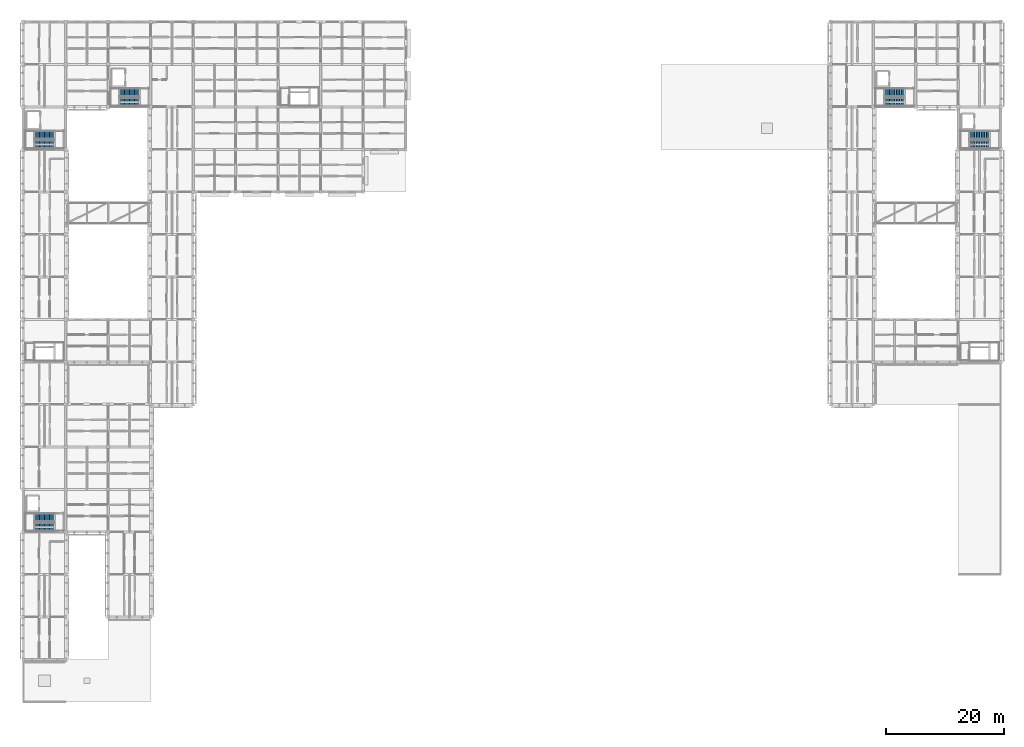
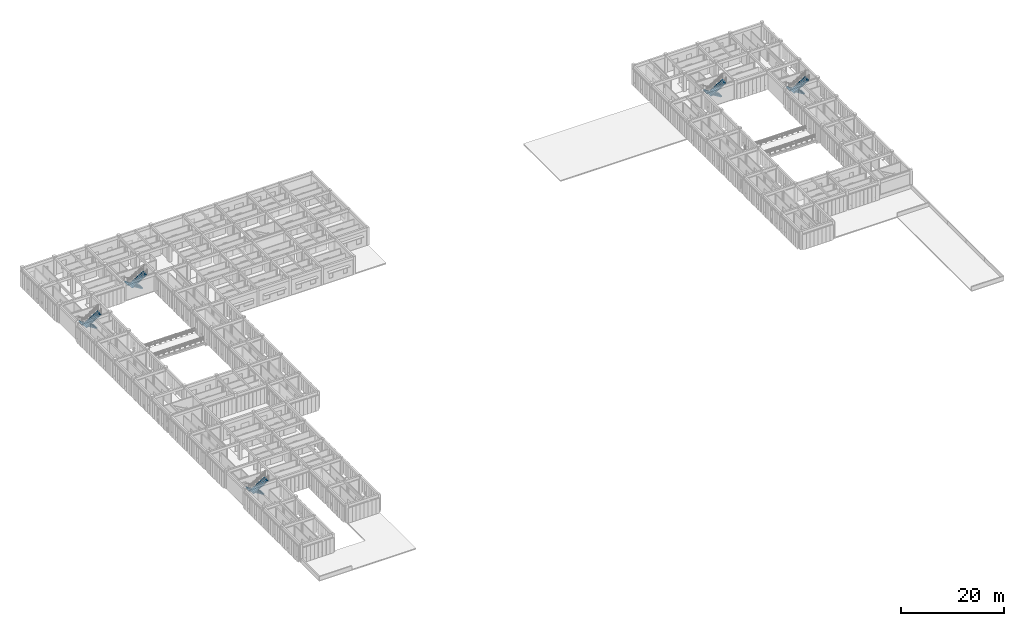
# One storey, part 82 of 91: 10 stair flights, 5 elements without a shape of their own.
"""IFC4 building model written with IfcOpenShell, lengths in metres."""

import ifcopenshell
import ifcopenshell.guid

model = None  # the IFC model being written
_history = None  # IfcOwnerHistory: only IFC2X3 demands one
_inside = {}  # id of a spatial element -> (the spatial element, [elements in it])
_under = {}  # id of a project, library or spatial element -> (it, [spatial elements below it])
_declared = {}  # id of a project -> (the project, [libraries it declares])
_typed = {}  # id of a type object -> (the type object, [elements of that type])
_made_of = {}  # id of a material, layer set ... -> (it, [elements and type objects made of it])


def new_model(schema):
    """Start an empty IFC model of exactly this schema.

    Asked for "IFC4X3", IfcOpenShell would pick the latest addendum, in which some entities
    have other attributes; the version numbers below select the first issue.
    IFC2X3 requires an IfcOwnerHistory on every rooted entity: one is made here for all.
    """
    global model, _history
    if schema == "IFC4X3":
        model = ifcopenshell.file(schema_version=(4, 3, 0, 0))
    else:
        model = ifcopenshell.file(schema=schema)
    _inside.clear()
    _under.clear()
    _declared.clear()
    _typed.clear()
    _made_of.clear()
    _history = None
    if model.schema == "IFC2X3":
        org = make("IfcOrganization", Name="unknown")
        user = make(
            "IfcPersonAndOrganization",
            ThePerson=make("IfcPerson", FamilyName="unknown"),
            TheOrganization=org,
        )
        app = make(
            "IfcApplication",
            ApplicationDeveloper=org,
            Version="unknown",
            ApplicationFullName="unknown",
            ApplicationIdentifier="unknown",
        )
        _history = make(
            "IfcOwnerHistory",
            OwningUser=user,
            OwningApplication=app,
            ChangeAction="ADDED",
            CreationDate=0,
        )
    return model


def make(cls, **values):
    """One entity of the class cls with the attributes given. An attribute that is None is left unset."""
    return model.create_entity(
        cls, **{name: value for name, value in values.items() if value is not None}
    )


def rooted(cls, **values):
    """An entity with a GlobalId (a new one), such as an element, a storey or a relation."""
    return make(cls, GlobalId=ifcopenshell.guid.new(), OwnerHistory=_history, **values)


def si_unit(unit_type, name, prefix=None):
    """IfcSIUnit, for example si_unit("LENGTHUNIT", "METRE", prefix="MILLI")."""
    return make("IfcSIUnit", UnitType=unit_type, Prefix=prefix, Name=name)


def assignment(units):
    """IfcUnitAssignment: the units of a project."""
    return None if units is None else make("IfcUnitAssignment", Units=units)


def point(xyz):
    """IfcCartesianPoint."""
    return None if xyz is None else make("IfcCartesianPoint", Coordinates=xyz)


def direction(xyz):
    """IfcDirection."""
    return None if xyz is None else make("IfcDirection", DirectionRatios=xyz)


def frame(location, z_axis=None, x_axis=None):
    """IfcAxis2Placement3D, a coordinate frame: its origin and axes. An axis left out is left unset."""
    return make(
        "IfcAxis2Placement3D",
        Location=point(location),
        Axis=direction(z_axis),
        RefDirection=direction(x_axis),
    )


def origin():
    """The frame at (0, 0, 0) with its axes left unset."""
    return frame((0.0, 0.0, 0.0))


def place(relative_to, where):
    """IfcLocalPlacement: puts the frame where relative to a parent placement (None: the world)."""
    return make(
        "IfcLocalPlacement", PlacementRelTo=relative_to, RelativePlacement=where
    )


def context(
    kind, dimensions, precision=None, world=None, true_north=None, identifier=None
):
    """IfcGeometricRepresentationContext, for example the 3D "Model" context."""
    return make(
        "IfcGeometricRepresentationContext",
        ContextIdentifier=identifier,
        ContextType=kind,
        CoordinateSpaceDimension=dimensions,
        Precision=precision,
        WorldCoordinateSystem=world,
        TrueNorth=true_north,
    )


def subcontext(parent, identifier, kind, view, scale=None):
    """IfcGeometricRepresentationSubContext, for example "Body" below "Model"."""
    return make(
        "IfcGeometricRepresentationSubContext",
        ContextIdentifier=identifier,
        ContextType=kind,
        ParentContext=parent,
        TargetScale=scale,
        TargetView=view,
    )


def project(units=None, contexts=None):
    """IfcProject with its units and contexts."""
    return rooted(
        "IfcProject",
        Name="project",
        RepresentationContexts=contexts,
        UnitsInContext=assignment(units),
    )


def spatial(cls, under=None, at=None, **own):
    """A site, building, storey or space (cls), placed at a placement, below another one or the project."""
    s = rooted(cls, ObjectPlacement=at, **own)
    if under is not None:
        _under.setdefault(under.id(), (under, []))[1].append(s)
    return s


def polyline(points):
    """IfcPolyline through the points."""
    return make("IfcPolyline", Points=[point(p) for p in points])


def outline(outer, holes=None, kind="AREA"):
    """IfcArbitraryClosedProfileDef: a profile drawn as a closed curve; with holes, ...WithVoids."""
    if holes is None:
        return make("IfcArbitraryClosedProfileDef", ProfileType=kind, OuterCurve=outer)
    return make(
        "IfcArbitraryProfileDefWithVoids",
        ProfileType=kind,
        OuterCurve=outer,
        InnerCurves=holes,
    )


def extrude(swept, where, along, depth):
    """IfcExtrudedAreaSolid: the profile swept, set in the frame where, extruded along a direction by depth."""
    return make(
        "IfcExtrudedAreaSolid",
        SweptArea=swept,
        Position=where,
        ExtrudedDirection=direction(along),
        Depth=depth,
    )


def shape(context_of_items, identifier, shape_type, items):
    """IfcShapeRepresentation: the items that make up one representation, for example the "Body"."""
    return make(
        "IfcShapeRepresentation",
        ContextOfItems=context_of_items,
        RepresentationIdentifier=identifier,
        RepresentationType=shape_type,
        Items=items,
    )


def material(Name=None, Category=None):
    """IfcMaterial."""
    return make("IfcMaterial", Name=Name, Category=Category)


def made_of(thing, what):
    """Note that an element or type object is made of a material, layer set ...; save() writes the relation."""
    if what is not None:
        _made_of.setdefault(what.id(), (what, []))[1].append(thing)
    return thing


def type_object(cls, material=None, **own):
    """A type object (cls), such as IfcWallType, which elements share."""
    return made_of(rooted(cls, **own), material)


def element(
    cls,
    number,
    at=None,
    inside=None,
    cuts=None,
    type_object=None,
    material=None,
    context=None,
    identifier="Body",
    shape_type=None,
    held_by="IfcProductDefinitionShape",
    body=None,
    shapes=None,
    **own,
):
    """One element of the class cls, such as IfcWall. Its Tag is "e" and its number.

    at: its placement. inside: the storey or other place that contains it. cuts: it is an
    opening in that element (IfcRelVoidsElement). A single representation is given by context,
    identifier, shape_type and body (its items); several are given by shapes. held_by: the class
    of the entity that holds the representations. save() writes the other relations.
    """
    e = rooted(cls, Tag="e%d" % number, ObjectPlacement=at, **own)
    if body is not None:
        shapes = [shape(context, identifier, shape_type, body)]
    if shapes is not None:
        e.Representation = make(held_by, Representations=shapes)
    if inside is not None:
        _inside.setdefault(inside.id(), (inside, []))[1].append(e)
    if cuts is not None:
        rooted(
            "IfcRelVoidsElement", RelatingBuildingElement=cuts, RelatedOpeningElement=e
        )
    if type_object is not None:
        _typed.setdefault(type_object.id(), (type_object, []))[1].append(e)
    return made_of(e, material)


def aggregate(whole, parts):
    """IfcRelAggregates: a whole, such as a stair, and the parts it consists of."""
    return rooted("IfcRelAggregates", RelatingObject=whole, RelatedObjects=parts)


def save(model, path):
    """Write the relations noted so far, then the file.

    IfcRelAggregates (storeys below a building ...), IfcRelContainedInSpatialStructure (elements
    in a storey), IfcRelDefinesByType, IfcRelAssociatesMaterial and IfcRelDeclares: one each for
    every whole, place, type object, material and project.
    """
    for whole, parts in _under.values():
        aggregate(whole, parts)
    for where, things in _inside.values():
        rooted(
            "IfcRelContainedInSpatialStructure",
            RelatedElements=things,
            RelatingStructure=where,
        )
    for kind, things in _typed.values():
        rooted("IfcRelDefinesByType", RelatedObjects=things, RelatingType=kind)
    for what, things in _made_of.values():
        rooted("IfcRelAssociatesMaterial", RelatedObjects=things, RelatingMaterial=what)
    for by, libraries in _declared.values():
        rooted("IfcRelDeclares", RelatingContext=by, RelatedDefinitions=libraries)
    model.write(path)


model = new_model("IFC4")

# Units and contexts
model_context = context("Model", 3, precision=1e-05, world=origin(), true_north=direction((0.0, 1.0)))
body_context = subcontext(model_context, "Body", "Model", "MODEL_VIEW")
ifc_project = project(units=[si_unit("LENGTHUNIT", "METRE"), si_unit("AREAUNIT", "SQUARE_METRE"), si_unit("VOLUMEUNIT", "CUBIC_METRE"), si_unit("PLANEANGLEUNIT", "RADIAN"), si_unit("MASSUNIT", "GRAM", prefix="KILO")], contexts=[model_context])

# Site, building, storey
site_placement = place(None, origin())
site = spatial("IfcSite", under=ifc_project, at=site_placement, CompositionType="ELEMENT")
building_placement = place(site_placement, origin())
building = spatial("IfcBuilding", under=site, at=building_placement, Name="Aldebral Square Health Centre", CompositionType="ELEMENT")
storey_placement = place(building_placement, frame((0.0, 0.0, 9.0)))
storey = spatial("IfcBuildingStorey", under=building, at=storey_placement, Name="L02", CompositionType="ELEMENT", Elevation=9.0)

# Stair, stair flights
ifc_material = material(Name="Concrete C35/45", Category="concrete")
stair_type = type_object("IfcStairType", Name="ST-DOG-140", PredefinedType="HALF_TURN_STAIR", material=ifc_material)
stair_1_placement = place(storey_placement, origin())
stair_1 = element("IfcStair", 1, at=stair_1_placement, inside=storey, type_object=stair_type, Name="L02 ST-01", PredefinedType="HALF_TURN_STAIR")
stair_flight_type = type_object("IfcStairFlightType", Name="STF-DOG-140", PredefinedType="STRAIGHT", material=ifc_material)
stair_flight_1_placement = place(storey_placement, frame((5.320068359375, 96.02001953125, 0.0), z_axis=(0.0, 0.0, 1.0), x_axis=(-1.0, 0.0, 0.0)))
stair_flight_1 = element("IfcStairFlight", 2, at=stair_flight_1_placement, type_object=stair_flight_type, Name="ST-01 flight 1", NumberOfRisers=13, NumberOfTreads=12, PredefinedType="STRAIGHT", RiserHeight=0.173076923, TreadLength=0.285, context=body_context, shape_type="SweptSolid", body=[
    extrude(outline(polyline([(0.0, 0.0), (0.0, 0.173095703125), (0.284912109375, 0.173095703125), (0.284912109375, 0.34619140625), (0.570068359375, 0.34619140625), (0.570068359375, 0.519287109375), (0.85498046875, 0.519287109375), (0.85498046875, 0.6923828125), (1.139892578125, 0.6923828125), (1.139892578125, 0.865478515625), (1.425048828125, 0.865478515625), (1.425048828125, 1.03857421875), (1.7099609375, 1.03857421875), (1.7099609375, 1.21142578125), (1.9951171875, 1.21142578125), (1.9951171875, 1.384521484375), (2.280029296875, 1.384521484375), (2.280029296875, 1.5576171875), (2.56494140625, 1.5576171875), (2.56494140625, 1.730712890625), (2.85009765625, 1.730712890625), (2.85009765625, 1.90380859375), (3.135009765625, 1.90380859375), (3.135009765625, 2.076904296875), (3.419921875, 2.076904296875), (3.419921875, 2.25), (3.419921875, 1.889892578125), (0.30810546875, 0.0), (0.0, 0.0)])), frame((0.0, 0.699951171875, 0.0), z_axis=(0.0, -1.0, 0.0), x_axis=(1.0, 0.0, 0.0)), (0.0, 0.0, 1.0), 1.39990234375),
])
stair_flight_2_placement = place(storey_placement, frame((1.89990234375, 94.419921875, 2.25), z_axis=(0.0, 0.0, 1.0), x_axis=(1.0, 0.0, 0.0)))
stair_flight_2 = element("IfcStairFlight", 3, at=stair_flight_2_placement, type_object=stair_flight_type, Name="ST-01 flight 2", NumberOfRisers=13, NumberOfTreads=12, PredefinedType="STRAIGHT", RiserHeight=0.173076923, TreadLength=0.285, context=body_context, shape_type="SweptSolid", body=[
    extrude(outline(polyline([(0.0, 0.0), (0.0, 0.173095703125), (0.284912109375, 0.173095703125), (0.284912109375, 0.34619140625), (0.570068359375, 0.34619140625), (0.570068359375, 0.519287109375), (0.85498046875, 0.519287109375), (0.85498046875, 0.6923828125), (1.139892578125, 0.6923828125), (1.139892578125, 0.865478515625), (1.425048828125, 0.865478515625), (1.425048828125, 1.03857421875), (1.7099609375, 1.03857421875), (1.7099609375, 1.21142578125), (1.9951171875, 1.21142578125), (1.9951171875, 1.384521484375), (2.280029296875, 1.384521484375), (2.280029296875, 1.5576171875), (2.56494140625, 1.5576171875), (2.56494140625, 1.730712890625), (2.85009765625, 1.730712890625), (2.85009765625, 1.90380859375), (3.135009765625, 1.90380859375), (3.135009765625, 2.076904296875), (3.419921875, 2.076904296875), (3.419921875, 2.25), (3.419921875, 1.889892578125), (0.30810546875, 0.0), (0.0, 0.0)])), frame((0.0, 0.699951171875, 0.0), z_axis=(0.0, -1.0, 0.0), x_axis=(1.0, 0.0, 0.0)), (0.0, 0.0, 1.0), 1.39990234375),
])
aggregate(stair_1, [stair_flight_1, stair_flight_2])

stair_2_placement = place(storey_placement, origin())
stair_2 = element("IfcStair", 4, at=stair_2_placement, inside=storey, type_object=stair_type, Name="L02 ST-02", PredefinedType="HALF_TURN_STAIR")
stair_flight_3_placement = place(storey_placement, frame((19.719970703125, 103.219970703125, 0.0), z_axis=(0.0, 0.0, 1.0), x_axis=(-1.0, 0.0, 0.0)))
stair_flight_3 = element("IfcStairFlight", 5, at=stair_flight_3_placement, type_object=stair_flight_type, Name="ST-02 flight 1", NumberOfRisers=13, NumberOfTreads=12, PredefinedType="STRAIGHT", RiserHeight=0.173076923, TreadLength=0.285, context=body_context, shape_type="SweptSolid", body=[
    extrude(outline(polyline([(0.0, 0.0), (0.0, 0.173095703125), (0.284912109375, 0.173095703125), (0.284912109375, 0.34619140625), (0.570068359375, 0.34619140625), (0.570068359375, 0.519287109375), (0.85498046875, 0.519287109375), (0.85498046875, 0.6923828125), (1.139892578125, 0.6923828125), (1.139892578125, 0.865478515625), (1.425048828125, 0.865478515625), (1.425048828125, 1.03857421875), (1.7099609375, 1.03857421875), (1.7099609375, 1.21142578125), (1.9951171875, 1.21142578125), (1.9951171875, 1.384521484375), (2.280029296875, 1.384521484375), (2.280029296875, 1.5576171875), (2.56494140625, 1.5576171875), (2.56494140625, 1.730712890625), (2.85009765625, 1.730712890625), (2.85009765625, 1.90380859375), (3.135009765625, 1.90380859375), (3.135009765625, 2.076904296875), (3.419921875, 2.076904296875), (3.419921875, 2.25), (3.419921875, 1.889892578125), (0.30810546875, 0.0), (0.0, 0.0)])), frame((0.0, 0.699951171875, 0.0), z_axis=(0.0, -1.0, 0.0), x_axis=(1.0, 0.0, 0.0)), (0.0, 0.0, 1.0), 1.39990234375),
])
stair_flight_4_placement = place(storey_placement, frame((16.300048828125, 101.6201171875, 2.25), z_axis=(0.0, 0.0, 1.0), x_axis=(1.0, 0.0, 0.0)))
stair_flight_4 = element("IfcStairFlight", 6, at=stair_flight_4_placement, type_object=stair_flight_type, Name="ST-02 flight 2", NumberOfRisers=13, NumberOfTreads=12, PredefinedType="STRAIGHT", RiserHeight=0.173076923, TreadLength=0.285, context=body_context, shape_type="SweptSolid", body=[
    extrude(outline(polyline([(0.0, 0.0), (0.0, 0.173095703125), (0.284912109375, 0.173095703125), (0.284912109375, 0.34619140625), (0.570068359375, 0.34619140625), (0.570068359375, 0.519287109375), (0.85498046875, 0.519287109375), (0.85498046875, 0.6923828125), (1.139892578125, 0.6923828125), (1.139892578125, 0.865478515625), (1.425048828125, 0.865478515625), (1.425048828125, 1.03857421875), (1.7099609375, 1.03857421875), (1.7099609375, 1.21142578125), (1.9951171875, 1.21142578125), (1.9951171875, 1.384521484375), (2.280029296875, 1.384521484375), (2.280029296875, 1.5576171875), (2.56494140625, 1.5576171875), (2.56494140625, 1.730712890625), (2.85009765625, 1.730712890625), (2.85009765625, 1.90380859375), (3.135009765625, 1.90380859375), (3.135009765625, 2.076904296875), (3.419921875, 2.076904296875), (3.419921875, 2.25), (3.419921875, 1.889892578125), (0.30810546875, 0.0), (0.0, 0.0)])), frame((0.0, 0.699951171875, 0.0), z_axis=(0.0, -1.0, 0.0), x_axis=(1.0, 0.0, 0.0)), (0.0, 0.0, 1.0), 1.39990234375),
])
aggregate(stair_2, [stair_flight_3, stair_flight_4])

stair_3_placement = place(storey_placement, origin())
stair_3 = element("IfcStair", 7, at=stair_3_placement, inside=storey, type_object=stair_type, Name="L02 ST-03", PredefinedType="HALF_TURN_STAIR")
stair_flight_5_placement = place(storey_placement, frame((163.719970703125, 96.02001953125, 0.0), z_axis=(0.0, 0.0, 1.0), x_axis=(-1.0, 0.0, 0.0)))
stair_flight_5 = element("IfcStairFlight", 8, at=stair_flight_5_placement, type_object=stair_flight_type, Name="ST-03 flight 1", NumberOfRisers=13, NumberOfTreads=12, PredefinedType="STRAIGHT", RiserHeight=0.173076923, TreadLength=0.285, context=body_context, shape_type="SweptSolid", body=[
    extrude(outline(polyline([(0.0, 0.0), (0.0, 0.173095703125), (0.284912109375, 0.173095703125), (0.284912109375, 0.34619140625), (0.570068359375, 0.34619140625), (0.570068359375, 0.519287109375), (0.85498046875, 0.519287109375), (0.85498046875, 0.6923828125), (1.139892578125, 0.6923828125), (1.139892578125, 0.865478515625), (1.425048828125, 0.865478515625), (1.425048828125, 1.03857421875), (1.7099609375, 1.03857421875), (1.7099609375, 1.21142578125), (1.9951171875, 1.21142578125), (1.9951171875, 1.384521484375), (2.280029296875, 1.384521484375), (2.280029296875, 1.5576171875), (2.56494140625, 1.5576171875), (2.56494140625, 1.730712890625), (2.85009765625, 1.730712890625), (2.85009765625, 1.90380859375), (3.135009765625, 1.90380859375), (3.135009765625, 2.076904296875), (3.419921875, 2.076904296875), (3.419921875, 2.25), (3.419921875, 1.889892578125), (0.30810546875, 0.0), (0.0, 0.0)])), frame((0.0, 0.699951171875, 0.0), z_axis=(0.0, -1.0, 0.0), x_axis=(1.0, 0.0, 0.0)), (0.0, 0.0, 1.0), 1.39990234375),
])
stair_flight_6_placement = place(storey_placement, frame((160.300048828125, 94.419921875, 2.25), z_axis=(0.0, 0.0, 1.0), x_axis=(1.0, 0.0, 0.0)))
stair_flight_6 = element("IfcStairFlight", 9, at=stair_flight_6_placement, type_object=stair_flight_type, Name="ST-03 flight 2", NumberOfRisers=13, NumberOfTreads=12, PredefinedType="STRAIGHT", RiserHeight=0.173076923, TreadLength=0.285, context=body_context, shape_type="SweptSolid", body=[
    extrude(outline(polyline([(0.0, 0.0), (0.0, 0.173095703125), (0.284912109375, 0.173095703125), (0.284912109375, 0.34619140625), (0.570068359375, 0.34619140625), (0.570068359375, 0.519287109375), (0.85498046875, 0.519287109375), (0.85498046875, 0.6923828125), (1.139892578125, 0.6923828125), (1.139892578125, 0.865478515625), (1.425048828125, 0.865478515625), (1.425048828125, 1.03857421875), (1.7099609375, 1.03857421875), (1.7099609375, 1.21142578125), (1.9951171875, 1.21142578125), (1.9951171875, 1.384521484375), (2.280029296875, 1.384521484375), (2.280029296875, 1.5576171875), (2.56494140625, 1.5576171875), (2.56494140625, 1.730712890625), (2.85009765625, 1.730712890625), (2.85009765625, 1.90380859375), (3.135009765625, 1.90380859375), (3.135009765625, 2.076904296875), (3.419921875, 2.076904296875), (3.419921875, 2.25), (3.419921875, 1.889892578125), (0.30810546875, 0.0), (0.0, 0.0)])), frame((0.0, 0.699951171875, 0.0), z_axis=(0.0, -1.0, 0.0), x_axis=(1.0, 0.0, 0.0)), (0.0, 0.0, 1.0), 1.39990234375),
])
aggregate(stair_3, [stair_flight_5, stair_flight_6])

stair_4_placement = place(storey_placement, origin())
stair_4 = element("IfcStair", 10, at=stair_4_placement, inside=storey, type_object=stair_type, Name="L02 ST-04", PredefinedType="HALF_TURN_STAIR")
stair_flight_7_placement = place(storey_placement, frame((149.320068359375, 103.219970703125, 0.0), z_axis=(0.0, 0.0, 1.0), x_axis=(-1.0, 0.0, 0.0)))
stair_flight_7 = element("IfcStairFlight", 11, at=stair_flight_7_placement, type_object=stair_flight_type, Name="ST-04 flight 1", NumberOfRisers=13, NumberOfTreads=12, PredefinedType="STRAIGHT", RiserHeight=0.173076923, TreadLength=0.285, context=body_context, shape_type="SweptSolid", body=[
    extrude(outline(polyline([(0.0, 0.0), (0.0, 0.173095703125), (0.284912109375, 0.173095703125), (0.284912109375, 0.34619140625), (0.570068359375, 0.34619140625), (0.570068359375, 0.519287109375), (0.85498046875, 0.519287109375), (0.85498046875, 0.6923828125), (1.139892578125, 0.6923828125), (1.139892578125, 0.865478515625), (1.425048828125, 0.865478515625), (1.425048828125, 1.03857421875), (1.7099609375, 1.03857421875), (1.7099609375, 1.21142578125), (1.9951171875, 1.21142578125), (1.9951171875, 1.384521484375), (2.280029296875, 1.384521484375), (2.280029296875, 1.5576171875), (2.56494140625, 1.5576171875), (2.56494140625, 1.730712890625), (2.85009765625, 1.730712890625), (2.85009765625, 1.90380859375), (3.135009765625, 1.90380859375), (3.135009765625, 2.076904296875), (3.419921875, 2.076904296875), (3.419921875, 2.25), (3.419921875, 1.889892578125), (0.30810546875, 0.0), (0.0, 0.0)])), frame((0.0, 0.699951171875, 0.0), z_axis=(0.0, -1.0, 0.0), x_axis=(1.0, 0.0, 0.0)), (0.0, 0.0, 1.0), 1.39990234375),
])
stair_flight_8_placement = place(storey_placement, frame((145.89990234375, 101.6201171875, 2.25), z_axis=(0.0, 0.0, 1.0), x_axis=(1.0, 0.0, 0.0)))
stair_flight_8 = element("IfcStairFlight", 12, at=stair_flight_8_placement, type_object=stair_flight_type, Name="ST-04 flight 2", NumberOfRisers=13, NumberOfTreads=12, PredefinedType="STRAIGHT", RiserHeight=0.173076923, TreadLength=0.285, context=body_context, shape_type="SweptSolid", body=[
    extrude(outline(polyline([(0.0, 0.0), (0.0, 0.173095703125), (0.284912109375, 0.173095703125), (0.284912109375, 0.34619140625), (0.570068359375, 0.34619140625), (0.570068359375, 0.519287109375), (0.85498046875, 0.519287109375), (0.85498046875, 0.6923828125), (1.139892578125, 0.6923828125), (1.139892578125, 0.865478515625), (1.425048828125, 0.865478515625), (1.425048828125, 1.03857421875), (1.7099609375, 1.03857421875), (1.7099609375, 1.21142578125), (1.9951171875, 1.21142578125), (1.9951171875, 1.384521484375), (2.280029296875, 1.384521484375), (2.280029296875, 1.5576171875), (2.56494140625, 1.5576171875), (2.56494140625, 1.730712890625), (2.85009765625, 1.730712890625), (2.85009765625, 1.90380859375), (3.135009765625, 1.90380859375), (3.135009765625, 2.076904296875), (3.419921875, 2.076904296875), (3.419921875, 2.25), (3.419921875, 1.889892578125), (0.30810546875, 0.0), (0.0, 0.0)])), frame((0.0, 0.699951171875, 0.0), z_axis=(0.0, -1.0, 0.0), x_axis=(1.0, 0.0, 0.0)), (0.0, 0.0, 1.0), 1.39990234375),
])
aggregate(stair_4, [stair_flight_7, stair_flight_8])

stair_5_placement = place(storey_placement, origin())
stair_5 = element("IfcStair", 13, at=stair_5_placement, inside=storey, type_object=stair_type, Name="L02 ST-05", PredefinedType="HALF_TURN_STAIR")
stair_flight_9_placement = place(storey_placement, frame((5.320068359375, 31.219970703125, 0.0), z_axis=(0.0, 0.0, 1.0), x_axis=(-1.0, 0.0, 0.0)))
stair_flight_9 = element("IfcStairFlight", 14, at=stair_flight_9_placement, type_object=stair_flight_type, Name="ST-05 flight 1", NumberOfRisers=13, NumberOfTreads=12, PredefinedType="STRAIGHT", RiserHeight=0.173076923, TreadLength=0.285, context=body_context, shape_type="SweptSolid", body=[
    extrude(outline(polyline([(0.0, 0.0), (0.0, 0.173095703125), (0.284912109375, 0.173095703125), (0.284912109375, 0.34619140625), (0.570068359375, 0.34619140625), (0.570068359375, 0.519287109375), (0.85498046875, 0.519287109375), (0.85498046875, 0.6923828125), (1.139892578125, 0.6923828125), (1.139892578125, 0.865478515625), (1.425048828125, 0.865478515625), (1.425048828125, 1.03857421875), (1.7099609375, 1.03857421875), (1.7099609375, 1.21142578125), (1.9951171875, 1.21142578125), (1.9951171875, 1.384521484375), (2.280029296875, 1.384521484375), (2.280029296875, 1.5576171875), (2.56494140625, 1.5576171875), (2.56494140625, 1.730712890625), (2.85009765625, 1.730712890625), (2.85009765625, 1.90380859375), (3.135009765625, 1.90380859375), (3.135009765625, 2.076904296875), (3.419921875, 2.076904296875), (3.419921875, 2.25), (3.419921875, 1.889892578125), (0.30810546875, 0.0), (0.0, 0.0)])), frame((0.0, 0.699951171875, 0.0), z_axis=(0.0, -1.0, 0.0), x_axis=(1.0, 0.0, 0.0)), (0.0, 0.0, 1.0), 1.39990234375),
])
stair_flight_10_placement = place(storey_placement, frame((1.89990234375, 29.6201171875, 2.25), z_axis=(0.0, 0.0, 1.0), x_axis=(1.0, 0.0, 0.0)))
stair_flight_10 = element("IfcStairFlight", 15, at=stair_flight_10_placement, type_object=stair_flight_type, Name="ST-05 flight 2", NumberOfRisers=13, NumberOfTreads=12, PredefinedType="STRAIGHT", RiserHeight=0.173076923, TreadLength=0.285, context=body_context, shape_type="SweptSolid", body=[
    extrude(outline(polyline([(0.0, 0.0), (0.0, 0.173095703125), (0.284912109375, 0.173095703125), (0.284912109375, 0.34619140625), (0.570068359375, 0.34619140625), (0.570068359375, 0.519287109375), (0.85498046875, 0.519287109375), (0.85498046875, 0.6923828125), (1.139892578125, 0.6923828125), (1.139892578125, 0.865478515625), (1.425048828125, 0.865478515625), (1.425048828125, 1.03857421875), (1.7099609375, 1.03857421875), (1.7099609375, 1.21142578125), (1.9951171875, 1.21142578125), (1.9951171875, 1.384521484375), (2.280029296875, 1.384521484375), (2.280029296875, 1.5576171875), (2.56494140625, 1.5576171875), (2.56494140625, 1.730712890625), (2.85009765625, 1.730712890625), (2.85009765625, 1.90380859375), (3.135009765625, 1.90380859375), (3.135009765625, 2.076904296875), (3.419921875, 2.076904296875), (3.419921875, 2.25), (3.419921875, 1.889892578125), (0.30810546875, 0.0), (0.0, 0.0)])), frame((0.0, 0.699951171875, 0.0), z_axis=(0.0, -1.0, 0.0), x_axis=(1.0, 0.0, 0.0)), (0.0, 0.0, 1.0), 1.39990234375),
])
aggregate(stair_5, [stair_flight_9, stair_flight_10])

save(model, "model.ifc")
